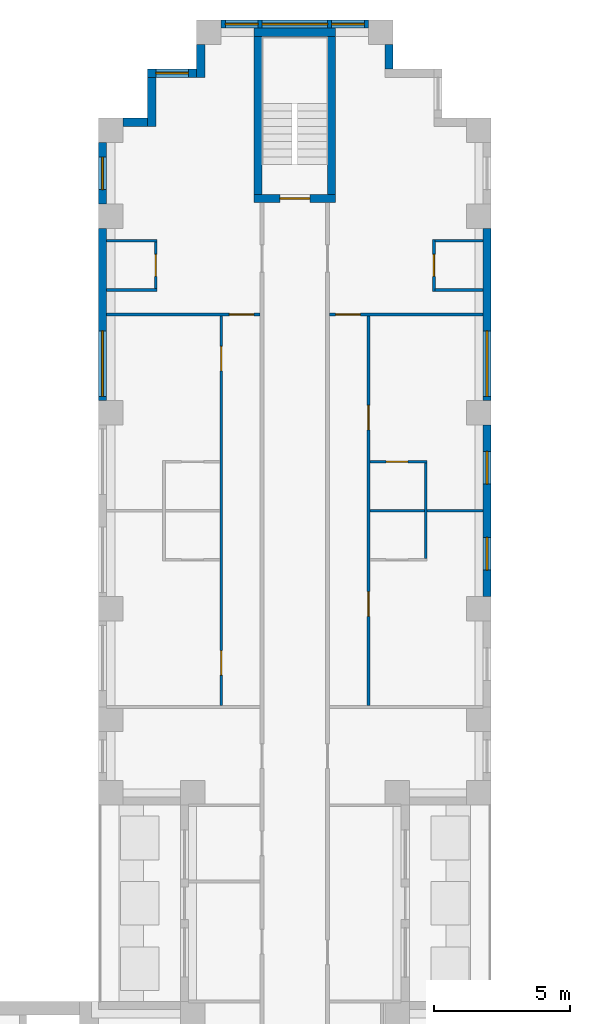
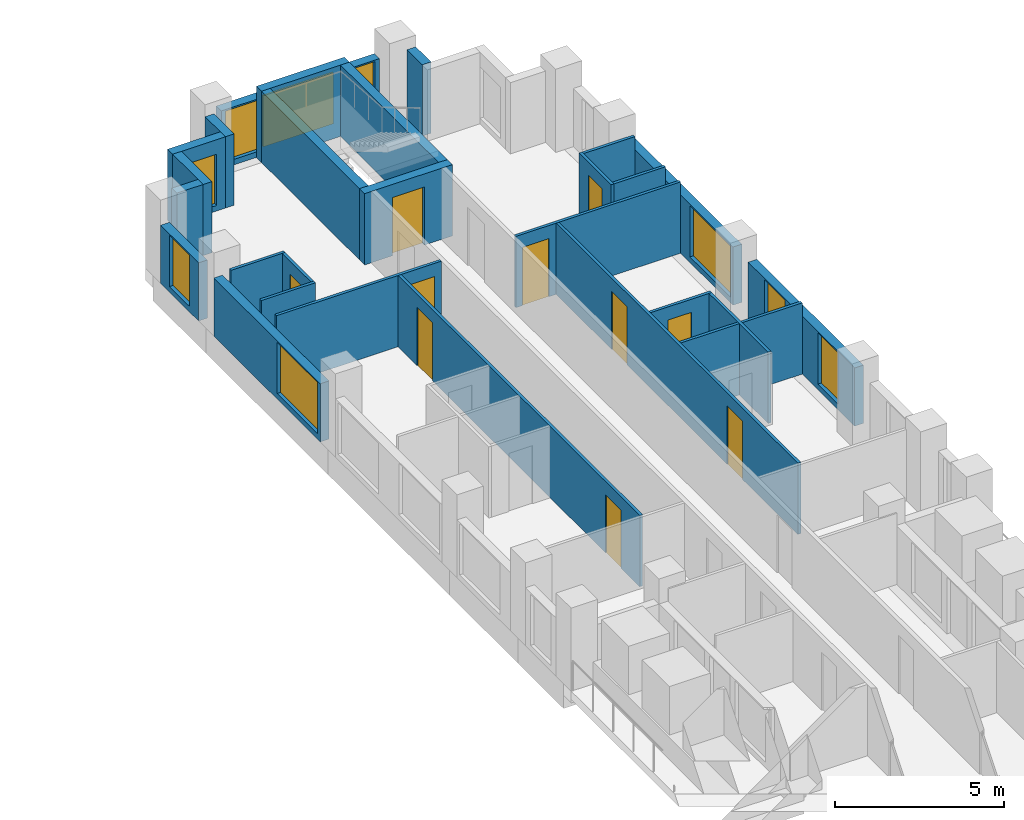
# One storey, part 12 of 16: 27 walls, 10 doors, 9 windows, 19 openings.
"""IFC4 building model written with IfcOpenShell, lengths in metres."""

import ifcopenshell
import ifcopenshell.guid

model = None  # the IFC model being written
_history = None  # IfcOwnerHistory: only IFC2X3 demands one
_inside = {}  # id of a spatial element -> (the spatial element, [elements in it])
_under = {}  # id of a project, library or spatial element -> (it, [spatial elements below it])
_declared = {}  # id of a project -> (the project, [libraries it declares])
_typed = {}  # id of a type object -> (the type object, [elements of that type])
_made_of = {}  # id of a material, layer set ... -> (it, [elements and type objects made of it])


def new_model(schema):
    """Start an empty IFC model of exactly this schema.

    Asked for "IFC4X3", IfcOpenShell would pick the latest addendum, in which some entities
    have other attributes; the version numbers below select the first issue.
    IFC2X3 requires an IfcOwnerHistory on every rooted entity: one is made here for all.
    """
    global model, _history
    if schema == "IFC4X3":
        model = ifcopenshell.file(schema_version=(4, 3, 0, 0))
    else:
        model = ifcopenshell.file(schema=schema)
    _inside.clear()
    _under.clear()
    _declared.clear()
    _typed.clear()
    _made_of.clear()
    _history = None
    if model.schema == "IFC2X3":
        org = make("IfcOrganization", Name="unknown")
        user = make(
            "IfcPersonAndOrganization",
            ThePerson=make("IfcPerson", FamilyName="unknown"),
            TheOrganization=org,
        )
        app = make(
            "IfcApplication",
            ApplicationDeveloper=org,
            Version="unknown",
            ApplicationFullName="unknown",
            ApplicationIdentifier="unknown",
        )
        _history = make(
            "IfcOwnerHistory",
            OwningUser=user,
            OwningApplication=app,
            ChangeAction="ADDED",
            CreationDate=0,
        )
    return model


def make(cls, **values):
    """One entity of the class cls with the attributes given. An attribute that is None is left unset."""
    return model.create_entity(
        cls, **{name: value for name, value in values.items() if value is not None}
    )


def rooted(cls, **values):
    """An entity with a GlobalId (a new one), such as an element, a storey or a relation."""
    return make(cls, GlobalId=ifcopenshell.guid.new(), OwnerHistory=_history, **values)


def si_unit(unit_type, name, prefix=None):
    """IfcSIUnit, for example si_unit("LENGTHUNIT", "METRE", prefix="MILLI")."""
    return make("IfcSIUnit", UnitType=unit_type, Prefix=prefix, Name=name)


def assignment(units):
    """IfcUnitAssignment: the units of a project."""
    return None if units is None else make("IfcUnitAssignment", Units=units)


def point(xyz):
    """IfcCartesianPoint."""
    return None if xyz is None else make("IfcCartesianPoint", Coordinates=xyz)


def direction(xyz):
    """IfcDirection."""
    return None if xyz is None else make("IfcDirection", DirectionRatios=xyz)


def frame(location, z_axis=None, x_axis=None):
    """IfcAxis2Placement3D, a coordinate frame: its origin and axes. An axis left out is left unset."""
    return make(
        "IfcAxis2Placement3D",
        Location=point(location),
        Axis=direction(z_axis),
        RefDirection=direction(x_axis),
    )


def frame_2d(location, x_axis=None):
    """IfcAxis2Placement2D, a coordinate frame in the plane: its origin and x axis."""
    return make(
        "IfcAxis2Placement2D", Location=point(location), RefDirection=direction(x_axis)
    )


def origin():
    """The frame at (0, 0, 0) with its axes left unset."""
    return frame((0.0, 0.0, 0.0))


def place(relative_to, where):
    """IfcLocalPlacement: puts the frame where relative to a parent placement (None: the world)."""
    return make(
        "IfcLocalPlacement", PlacementRelTo=relative_to, RelativePlacement=where
    )


def context(
    kind, dimensions, precision=None, world=None, true_north=None, identifier=None
):
    """IfcGeometricRepresentationContext, for example the 3D "Model" context."""
    return make(
        "IfcGeometricRepresentationContext",
        ContextIdentifier=identifier,
        ContextType=kind,
        CoordinateSpaceDimension=dimensions,
        Precision=precision,
        WorldCoordinateSystem=world,
        TrueNorth=true_north,
    )


def subcontext(parent, identifier, kind, view, scale=None):
    """IfcGeometricRepresentationSubContext, for example "Body" below "Model"."""
    return make(
        "IfcGeometricRepresentationSubContext",
        ContextIdentifier=identifier,
        ContextType=kind,
        ParentContext=parent,
        TargetScale=scale,
        TargetView=view,
    )


def project(units=None, contexts=None):
    """IfcProject with its units and contexts."""
    return rooted(
        "IfcProject",
        Name="project",
        RepresentationContexts=contexts,
        UnitsInContext=assignment(units),
    )


def spatial(cls, under=None, at=None, **own):
    """A site, building, storey or space (cls), placed at a placement, below another one or the project."""
    s = rooted(cls, ObjectPlacement=at, **own)
    if under is not None:
        _under.setdefault(under.id(), (under, []))[1].append(s)
    return s


def profile(cls, at=None, kind="AREA", **sizes):
    """A parametric profile (cls). Its sizes go by their IFC names, for example OverallWidth=200.0."""
    return make(cls, ProfileType=kind, Position=at, **sizes)


def rectangle(**sizes):
    """IfcRectangleProfileDef."""
    return profile("IfcRectangleProfileDef", **sizes)


def extrude(swept, where, along, depth):
    """IfcExtrudedAreaSolid: the profile swept, set in the frame where, extruded along a direction by depth."""
    return make(
        "IfcExtrudedAreaSolid",
        SweptArea=swept,
        Position=where,
        ExtrudedDirection=direction(along),
        Depth=depth,
    )


def shape(context_of_items, identifier, shape_type, items):
    """IfcShapeRepresentation: the items that make up one representation, for example the "Body"."""
    return make(
        "IfcShapeRepresentation",
        ContextOfItems=context_of_items,
        RepresentationIdentifier=identifier,
        RepresentationType=shape_type,
        Items=items,
    )


def material(Name=None, Category=None):
    """IfcMaterial."""
    return make("IfcMaterial", Name=Name, Category=Category)


def layer(
    of_material, thickness, ventilated=None, Name=None, Category=None, Priority=None
):
    """IfcMaterialLayer: one layer of a wall or slab, of a material (None: an air gap)."""
    return make(
        "IfcMaterialLayer",
        Material=of_material,
        LayerThickness=thickness,
        IsVentilated=ventilated,
        Name=Name,
        Category=Category,
        Priority=Priority,
    )


def layer_set(layers, Name=None):
    """IfcMaterialLayerSet."""
    return make("IfcMaterialLayerSet", MaterialLayers=layers, LayerSetName=Name)


def made_of(thing, what):
    """Note that an element or type object is made of a material, layer set ...; save() writes the relation."""
    if what is not None:
        _made_of.setdefault(what.id(), (what, []))[1].append(thing)
    return thing


def type_object(cls, material=None, **own):
    """A type object (cls), such as IfcWallType, which elements share."""
    return made_of(rooted(cls, **own), material)


def element(
    cls,
    number,
    at=None,
    inside=None,
    cuts=None,
    type_object=None,
    material=None,
    context=None,
    identifier="Body",
    shape_type=None,
    held_by="IfcProductDefinitionShape",
    body=None,
    shapes=None,
    **own,
):
    """One element of the class cls, such as IfcWall. Its Tag is "e" and its number.

    at: its placement. inside: the storey or other place that contains it. cuts: it is an
    opening in that element (IfcRelVoidsElement). A single representation is given by context,
    identifier, shape_type and body (its items); several are given by shapes. held_by: the class
    of the entity that holds the representations. save() writes the other relations.
    """
    e = rooted(cls, Tag="e%d" % number, ObjectPlacement=at, **own)
    if body is not None:
        shapes = [shape(context, identifier, shape_type, body)]
    if shapes is not None:
        e.Representation = make(held_by, Representations=shapes)
    if inside is not None:
        _inside.setdefault(inside.id(), (inside, []))[1].append(e)
    if cuts is not None:
        rooted(
            "IfcRelVoidsElement", RelatingBuildingElement=cuts, RelatedOpeningElement=e
        )
    if type_object is not None:
        _typed.setdefault(type_object.id(), (type_object, []))[1].append(e)
    return made_of(e, material)


def fill(opening, filler):
    """IfcRelFillsElement: the door or window that sits in an opening."""
    return rooted(
        "IfcRelFillsElement",
        RelatingOpeningElement=opening,
        RelatedBuildingElement=filler,
    )


def aggregate(whole, parts):
    """IfcRelAggregates: a whole, such as a stair, and the parts it consists of."""
    return rooted("IfcRelAggregates", RelatingObject=whole, RelatedObjects=parts)


def save(model, path):
    """Write the relations noted so far, then the file.

    IfcRelAggregates (storeys below a building ...), IfcRelContainedInSpatialStructure (elements
    in a storey), IfcRelDefinesByType, IfcRelAssociatesMaterial and IfcRelDeclares: one each for
    every whole, place, type object, material and project.
    """
    for whole, parts in _under.values():
        aggregate(whole, parts)
    for where, things in _inside.values():
        rooted(
            "IfcRelContainedInSpatialStructure",
            RelatedElements=things,
            RelatingStructure=where,
        )
    for kind, things in _typed.values():
        rooted("IfcRelDefinesByType", RelatedObjects=things, RelatingType=kind)
    for what, things in _made_of.values():
        rooted("IfcRelAssociatesMaterial", RelatedObjects=things, RelatingMaterial=what)
    for by, libraries in _declared.values():
        rooted("IfcRelDeclares", RelatingContext=by, RelatedDefinitions=libraries)
    model.write(path)


model = new_model("IFC4")

# Units and contexts
model_context = context("Model", 3, precision=1e-05, world=origin(), true_north=direction((0.0, 1.0)))
body_context = subcontext(model_context, "Body", "Model", "MODEL_VIEW")
ifc_project = project(units=[si_unit("LENGTHUNIT", "METRE"), si_unit("AREAUNIT", "SQUARE_METRE"), si_unit("VOLUMEUNIT", "CUBIC_METRE"), si_unit("PLANEANGLEUNIT", "RADIAN"), si_unit("MASSUNIT", "GRAM", prefix="KILO")], contexts=[model_context])

# Site, building, storey
site_placement = place(None, origin())
site = spatial("IfcSite", under=ifc_project, at=site_placement, CompositionType="ELEMENT")
building_placement = place(site_placement, origin())
building = spatial("IfcBuilding", under=site, at=building_placement, Name="Fustian Cross Tower", CompositionType="ELEMENT")
storey_placement = place(building_placement, frame((0.0, 0.0, 23.699951171875)))
storey = spatial("IfcBuildingStorey", under=building, at=storey_placement, Name="L06", CompositionType="ELEMENT", Elevation=23.699951171875)

# Wall, opening, door
ifc_material_1 = material(Name="Plasterboard on steel stud", Category="steel")
ifc_layer_1 = layer(ifc_material_1, 0.10009765625)
ifc_layer_set_1 = layer_set([ifc_layer_1], Name="Plasterboard on steel stud")
wall_type_1 = type_object("IfcWallType", Name="PARTITION 100 STUD", PredefinedType="PARTITIONING", material=ifc_layer_set_1)
wall_1_placement = place(storey_placement, frame((-6.89990234375, 32.39990234375, 0.0), z_axis=(0.0, 0.0, 1.0), x_axis=(1.0, 0.0, 0.0)))
wall_1 = element("IfcWall", 1, at=wall_1_placement, inside=storey, type_object=wall_type_1, Name="Partition 26", PredefinedType="PARTITIONING", context=body_context, shape_type="SweptSolid", body=[
    extrude(rectangle(XDim=5.625, YDim=0.10009765625, at=frame_2d((2.8125, 0.0))), origin(), (0.0, 0.0, 1.0), 2.574951171875),
])
opening_1_placement = place(wall_1_placement, frame((4.5, 0.0, 0.0)))
opening_1 = element("IfcOpeningElement", 2, at=opening_1_placement, cuts=wall_1, Name="Opening D05027", PredefinedType="OPENING", context=body_context, shape_type="SweptSolid", body=[
    extrude(rectangle(XDim=0.89990234375, YDim=2.10009765625, at=frame_2d((0.449951171875, 1.050048828125))), frame((0.0, 0.06005859375, 0.0), z_axis=(0.0, -1.0, 0.0), x_axis=(1.0, 0.0, 0.0)), (0.0, 0.0, 1.0), 0.1201171875),
])
ifc_material_2 = material(Name="Painted timber", Category="wood")
door_type_1 = type_object("IfcDoorType", Name="SWING DOOR 900", OperationType="SINGLE_SWING_LEFT", PredefinedType="DOOR", material=ifc_material_2)
door_1_placement = place(opening_1_placement, frame((0.89990234375, 0.0, 0.0), z_axis=(0.0, 0.0, 1.0), x_axis=(-1.0, 0.0, 0.0)))
door_1 = element("IfcDoor", 3, at=door_1_placement, inside=storey, type_object=door_type_1, Name="Door D05027", OperationType="SINGLE_SWING_RIGHT", OverallHeight=2.10009765625, OverallWidth=0.89990234375, PredefinedType="DOOR", context=body_context, shape_type="SweptSolid", body=[
    extrude(rectangle(XDim=0.89990234375, YDim=2.10009765625, at=frame_2d((0.449951171875, 1.050048828125))), frame((0.0, 0.02490234375, 0.0), z_axis=(0.0, -1.0, 0.0), x_axis=(1.0, 0.0, 0.0)), (0.0, 0.0, 1.0), 0.050048828125),
])
fill(opening_1, door_1)

# Walls
for number, where, z_axis, x_axis, name in (
    (4, (-6.89990234375, 33.300048828125, 0.0), (0.0, 0.0, 1.0), (1.0, 0.0, 0.0), "Partition 27"),
    (5, (-6.89990234375, 35.10009765625, 0.0), (0.0, 0.0, 1.0), (1.0, 0.0, 0.0), "Partition 28"),
):
    element("IfcWall", number, at=place(storey_placement, frame(where, z_axis=z_axis, x_axis=x_axis)), inside=storey, type_object=wall_type_1, Name=name, PredefinedType="PARTITIONING", context=body_context, shape_type="SweptSolid", body=[
        extrude(rectangle(XDim=1.849853515625, YDim=0.10009765625, at=frame_2d((0.9248046875, 0.0))), origin(), (0.0, 0.0, 1.0), 2.574951171875),
    ])

# Wall, opening, door
wall_2_placement = place(storey_placement, frame((-5.10009765625, 33.35009765625, 0.0), z_axis=(0.0, 0.0, 1.0), x_axis=(0.0, 1.0, 0.0)))
wall_2 = element("IfcWall", 6, at=wall_2_placement, inside=storey, type_object=wall_type_1, Name="Partition 32", PredefinedType="PARTITIONING", context=body_context, shape_type="SweptSolid", body=[
    extrude(rectangle(XDim=1.699951171875, YDim=0.10009765625, at=frame_2d((0.85009765625, 0.0))), origin(), (0.0, 0.0, 1.0), 2.574951171875),
])
opening_2_placement = place(wall_2_placement, frame((0.449951171875, 0.0, 0.0)))
opening_2 = element("IfcOpeningElement", 7, at=opening_2_placement, cuts=wall_2, Name="Opening D05023", PredefinedType="OPENING", context=body_context, shape_type="SweptSolid", body=[
    extrude(rectangle(XDim=0.800048828125, YDim=2.10009765625, at=frame_2d((0.39990234375, 1.050048828125))), frame((0.0, 0.06005859375, 0.0), z_axis=(0.0, -1.0, 0.0), x_axis=(1.0, 0.0, 0.0)), (0.0, 0.0, 1.0), 0.1201171875),
])
ifc_material_3 = material(Name="Painted timber", Category="wood")
door_type_2 = type_object("IfcDoorType", Name="SWING DOOR 800", OperationType="SINGLE_SWING_LEFT", PredefinedType="DOOR", material=ifc_material_3)
door_2_placement = place(opening_2_placement, origin())
door_2 = element("IfcDoor", 8, at=door_2_placement, inside=storey, type_object=door_type_2, Name="Door D05023", OperationType="SINGLE_SWING_RIGHT", OverallHeight=2.10009765625, OverallWidth=0.800048828125, PredefinedType="DOOR", context=body_context, shape_type="SweptSolid", body=[
    extrude(rectangle(XDim=0.800048828125, YDim=2.10009765625, at=frame_2d((0.39990234375, 1.050048828125))), frame((0.0, 0.02490234375, 0.0), z_axis=(0.0, -1.0, 0.0), x_axis=(1.0, 0.0, 0.0)), (0.0, 0.0, 1.0), 0.050048828125),
])
fill(opening_2, door_2)

# Wall, openings, doors
wall_3_placement = place(storey_placement, frame((-2.699951171875, 18.050048828125, 0.0), z_axis=(0.0, 0.0, 1.0), x_axis=(0.0, 1.0, 0.0)))
wall_3 = element("IfcWall", 9, at=wall_3_placement, inside=storey, type_object=wall_type_1, Name="Partition 50", PredefinedType="PARTITIONING", context=body_context, shape_type="SweptSolid", body=[
    extrude(rectangle(XDim=14.300048828125, YDim=0.10009765625, at=frame_2d((7.14990234375, 0.0))), origin(), (0.0, 0.0, 1.0), 2.574951171875),
])
opening_3_placement = place(wall_3_placement, frame((1.1201171875, 0.0, 0.0)))
opening_3 = element("IfcOpeningElement", 10, at=opening_3_placement, cuts=wall_3, Name="Opening D05025", PredefinedType="OPENING", context=body_context, shape_type="SweptSolid", body=[
    extrude(rectangle(XDim=0.89990234375, YDim=2.10009765625, at=frame_2d((0.449951171875, 1.050048828125))), frame((0.0, 0.06005859375, 0.0), z_axis=(0.0, -1.0, 0.0), x_axis=(1.0, 0.0, 0.0)), (0.0, 0.0, 1.0), 0.1201171875),
])
opening_4_placement = place(wall_3_placement, frame((12.280029296875, 0.0, 0.0)))
opening_4 = element("IfcOpeningElement", 11, at=opening_4_placement, cuts=wall_3, Name="Opening D05026", PredefinedType="OPENING", context=body_context, shape_type="SweptSolid", body=[
    extrude(rectangle(XDim=0.89990234375, YDim=2.10009765625, at=frame_2d((0.449951171875, 1.050048828125))), frame((0.0, 0.06005859375, 0.0), z_axis=(0.0, -1.0, 0.0), x_axis=(1.0, 0.0, 0.0)), (0.0, 0.0, 1.0), 0.1201171875),
])
door_3_placement = place(opening_3_placement, frame((0.89990234375, 0.0, 0.0), z_axis=(0.0, 0.0, 1.0), x_axis=(-1.0, 0.0, 0.0)))
door_3 = element("IfcDoor", 12, at=door_3_placement, inside=storey, type_object=door_type_1, Name="Door D05025", OperationType="SINGLE_SWING_RIGHT", OverallHeight=2.10009765625, OverallWidth=0.89990234375, PredefinedType="DOOR", context=body_context, shape_type="SweptSolid", body=[
    extrude(rectangle(XDim=0.89990234375, YDim=2.10009765625, at=frame_2d((0.449951171875, 1.050048828125))), frame((0.0, 0.02490234375, 0.0), z_axis=(0.0, -1.0, 0.0), x_axis=(1.0, 0.0, 0.0)), (0.0, 0.0, 1.0), 0.050048828125),
])
fill(opening_3, door_3)
door_4_placement = place(opening_4_placement, frame((0.89990234375, 0.0, 0.0), z_axis=(0.0, 0.0, 1.0), x_axis=(-1.0, 0.0, 0.0)))
door_4 = element("IfcDoor", 13, at=door_4_placement, inside=storey, type_object=door_type_1, Name="Door D05026", OperationType="SINGLE_SWING_LEFT", OverallHeight=2.10009765625, OverallWidth=0.89990234375, PredefinedType="DOOR", context=body_context, shape_type="SweptSolid", body=[
    extrude(rectangle(XDim=0.89990234375, YDim=2.10009765625, at=frame_2d((0.449951171875, 1.050048828125))), frame((0.0, 0.02490234375, 0.0), z_axis=(0.0, -1.0, 0.0), x_axis=(1.0, 0.0, 0.0)), (0.0, 0.0, 1.0), 0.050048828125),
])
fill(opening_4, door_4)

# Wall, opening, door
wall_4_placement = place(storey_placement, frame((1.27490234375, 32.39990234375, 0.0), z_axis=(0.0, 0.0, 1.0), x_axis=(1.0, 0.0, 0.0)))
wall_4 = element("IfcWall", 14, at=wall_4_placement, inside=storey, type_object=wall_type_1, Name="Partition 63", PredefinedType="PARTITIONING", context=body_context, shape_type="SweptSolid", body=[
    extrude(rectangle(XDim=5.625, YDim=0.10009765625, at=frame_2d((2.8125, 0.0))), origin(), (0.0, 0.0, 1.0), 2.574951171875),
])
opening_5_placement = place(wall_4_placement, frame((0.22509765625, 0.0, 0.0)))
opening_5 = element("IfcOpeningElement", 15, at=opening_5_placement, cuts=wall_4, Name="Opening D05034", PredefinedType="OPENING", context=body_context, shape_type="SweptSolid", body=[
    extrude(rectangle(XDim=0.89990234375, YDim=2.10009765625, at=frame_2d((0.449951171875, 1.050048828125))), frame((0.0, 0.06005859375, 0.0), z_axis=(0.0, -1.0, 0.0), x_axis=(1.0, 0.0, 0.0)), (0.0, 0.0, 1.0), 0.1201171875),
])
door_5_placement = place(opening_5_placement, frame((0.89990234375, 0.0, 0.0), z_axis=(0.0, 0.0, 1.0), x_axis=(-1.0, 0.0, 0.0)))
door_5 = element("IfcDoor", 16, at=door_5_placement, inside=storey, type_object=door_type_1, Name="Door D05034", OperationType="SINGLE_SWING_RIGHT", OverallHeight=2.10009765625, OverallWidth=0.89990234375, PredefinedType="DOOR", context=body_context, shape_type="SweptSolid", body=[
    extrude(rectangle(XDim=0.89990234375, YDim=2.10009765625, at=frame_2d((0.449951171875, 1.050048828125))), frame((0.0, 0.02490234375, 0.0), z_axis=(0.0, -1.0, 0.0), x_axis=(1.0, 0.0, 0.0)), (0.0, 0.0, 1.0), 0.050048828125),
])
fill(opening_5, door_5)

# Wall, openings, doors
wall_5_placement = place(storey_placement, frame((2.699951171875, 18.050048828125, 0.0), z_axis=(0.0, 0.0, 1.0), x_axis=(0.0, 1.0, 0.0)))
wall_5 = element("IfcWall", 17, at=wall_5_placement, inside=storey, type_object=wall_type_1, Name="Partition 75", PredefinedType="PARTITIONING", context=body_context, shape_type="SweptSolid", body=[
    extrude(rectangle(XDim=14.300048828125, YDim=0.10009765625, at=frame_2d((7.14990234375, 0.0))), origin(), (0.0, 0.0, 1.0), 2.574951171875),
])
opening_6_placement = place(wall_5_placement, frame((3.280029296875, 0.0, 0.0)))
opening_6 = element("IfcOpeningElement", 18, at=opening_6_placement, cuts=wall_5, Name="Opening D05035", PredefinedType="OPENING", context=body_context, shape_type="SweptSolid", body=[
    extrude(rectangle(XDim=0.89990234375, YDim=2.10009765625, at=frame_2d((0.449951171875, 1.050048828125))), frame((0.0, 0.06005859375, 0.0), z_axis=(0.0, -1.0, 0.0), x_axis=(1.0, 0.0, 0.0)), (0.0, 0.0, 1.0), 0.1201171875),
])
opening_7_placement = place(wall_5_placement, frame((10.119873046875, 0.0, 0.0)))
opening_7 = element("IfcOpeningElement", 19, at=opening_7_placement, cuts=wall_5, Name="Opening D05036", PredefinedType="OPENING", context=body_context, shape_type="SweptSolid", body=[
    extrude(rectangle(XDim=0.89990234375, YDim=2.10009765625, at=frame_2d((0.449951171875, 1.050048828125))), frame((0.0, 0.06005859375, 0.0), z_axis=(0.0, -1.0, 0.0), x_axis=(1.0, 0.0, 0.0)), (0.0, 0.0, 1.0), 0.1201171875),
])
door_6_placement = place(opening_6_placement, origin())
door_6 = element("IfcDoor", 20, at=door_6_placement, inside=storey, type_object=door_type_1, Name="Door D05035", OperationType="SINGLE_SWING_LEFT", OverallHeight=2.10009765625, OverallWidth=0.89990234375, PredefinedType="DOOR", context=body_context, shape_type="SweptSolid", body=[
    extrude(rectangle(XDim=0.89990234375, YDim=2.10009765625, at=frame_2d((0.449951171875, 1.050048828125))), frame((0.0, 0.02490234375, 0.0), z_axis=(0.0, -1.0, 0.0), x_axis=(1.0, 0.0, 0.0)), (0.0, 0.0, 1.0), 0.050048828125),
])
fill(opening_6, door_6)
door_7_placement = place(opening_7_placement, origin())
door_7 = element("IfcDoor", 21, at=door_7_placement, inside=storey, type_object=door_type_1, Name="Door D05036", OperationType="SINGLE_SWING_RIGHT", OverallHeight=2.10009765625, OverallWidth=0.89990234375, PredefinedType="DOOR", context=body_context, shape_type="SweptSolid", body=[
    extrude(rectangle(XDim=0.89990234375, YDim=2.10009765625, at=frame_2d((0.449951171875, 1.050048828125))), frame((0.0, 0.02490234375, 0.0), z_axis=(0.0, -1.0, 0.0), x_axis=(1.0, 0.0, 0.0)), (0.0, 0.0, 1.0), 0.050048828125),
])
fill(opening_7, door_7)

# Wall
wall_6_placement = place(storey_placement, frame((2.75, 25.199951171875, 0.0), z_axis=(0.0, 0.0, 1.0), x_axis=(1.0, 0.0, 0.0)))
element("IfcWall", 22, at=wall_6_placement, inside=storey, type_object=wall_type_1, Name="Partition 77", PredefinedType="PARTITIONING", context=body_context, shape_type="SweptSolid", body=[
    extrude(rectangle(XDim=4.14990234375, YDim=0.10009765625, at=frame_2d((2.074951171875, 0.0))), origin(), (0.0, 0.0, 1.0), 2.574951171875),
])

# Wall, opening, door
wall_7_placement = place(storey_placement, frame((2.75, 27.0, 0.0), z_axis=(0.0, 0.0, 1.0), x_axis=(1.0, 0.0, 0.0)))
wall_7 = element("IfcWall", 23, at=wall_7_placement, inside=storey, type_object=wall_type_1, Name="Partition 78", PredefinedType="PARTITIONING", context=body_context, shape_type="SweptSolid", body=[
    extrude(rectangle(XDim=2.10009765625, YDim=0.10009765625, at=frame_2d((1.050048828125, 0.0))), origin(), (0.0, 0.0, 1.0), 2.574951171875),
])
opening_8_placement = place(wall_7_placement, frame((0.60009765625, 0.0, 0.0)))
opening_8 = element("IfcOpeningElement", 24, at=opening_8_placement, cuts=wall_7, Name="Opening D05038", PredefinedType="OPENING", context=body_context, shape_type="SweptSolid", body=[
    extrude(rectangle(XDim=0.800048828125, YDim=2.10009765625, at=frame_2d((0.39990234375, 1.050048828125))), frame((0.0, 0.06005859375, 0.0), z_axis=(0.0, -1.0, 0.0), x_axis=(1.0, 0.0, 0.0)), (0.0, 0.0, 1.0), 0.1201171875),
])
door_8_placement = place(opening_8_placement, frame((0.800048828125, 0.0, 0.0), z_axis=(0.0, 0.0, 1.0), x_axis=(-1.0, 0.0, 0.0)))
door_8 = element("IfcDoor", 25, at=door_8_placement, inside=storey, type_object=door_type_2, Name="Door D05038", OperationType="SINGLE_SWING_RIGHT", OverallHeight=2.10009765625, OverallWidth=0.800048828125, PredefinedType="DOOR", context=body_context, shape_type="SweptSolid", body=[
    extrude(rectangle(XDim=0.800048828125, YDim=2.10009765625, at=frame_2d((0.39990234375, 1.050048828125))), frame((0.0, 0.02490234375, 0.0), z_axis=(0.0, -1.0, 0.0), x_axis=(1.0, 0.0, 0.0)), (0.0, 0.0, 1.0), 0.050048828125),
])
fill(opening_8, door_8)

# Wall
wall_8_placement = place(storey_placement, frame((4.800048828125, 23.449951171875, 0.0), z_axis=(0.0, 0.0, 1.0), x_axis=(0.0, 1.0, 0.0)))
element("IfcWall", 26, at=wall_8_placement, inside=storey, type_object=wall_type_1, Name="Partition 84", PredefinedType="PARTITIONING", context=body_context, shape_type="SweptSolid", body=[
    extrude(rectangle(XDim=3.5, YDim=0.10009765625, at=frame_2d((1.75, 0.0))), origin(), (0.0, 0.0, 1.0), 2.574951171875),
])

# Wall, opening, door
wall_9_placement = place(storey_placement, frame((5.10009765625, 33.25, 0.0), z_axis=(0.0, 0.0, 1.0), x_axis=(0.0, 1.0, 0.0)))
wall_9 = element("IfcWall", 27, at=wall_9_placement, inside=storey, type_object=wall_type_1, Name="Partition 88", PredefinedType="PARTITIONING", context=body_context, shape_type="SweptSolid", body=[
    extrude(rectangle(XDim=1.89990234375, YDim=0.10009765625, at=frame_2d((0.949951171875, 0.0))), origin(), (0.0, 0.0, 1.0), 2.574951171875),
])
opening_9_placement = place(wall_9_placement, frame((0.550048828125, 0.0, 0.0)))
opening_9 = element("IfcOpeningElement", 28, at=opening_9_placement, cuts=wall_9, Name="Opening D05032", PredefinedType="OPENING", context=body_context, shape_type="SweptSolid", body=[
    extrude(rectangle(XDim=0.800048828125, YDim=2.10009765625, at=frame_2d((0.39990234375, 1.050048828125))), frame((0.0, 0.06005859375, 0.0), z_axis=(0.0, -1.0, 0.0), x_axis=(1.0, 0.0, 0.0)), (0.0, 0.0, 1.0), 0.1201171875),
])
door_9_placement = place(opening_9_placement, frame((0.800048828125, 0.0, 0.0), z_axis=(0.0, 0.0, 1.0), x_axis=(-1.0, 0.0, 0.0)))
door_9 = element("IfcDoor", 29, at=door_9_placement, inside=storey, type_object=door_type_2, Name="Door D05032", OperationType="SINGLE_SWING_LEFT", OverallHeight=2.10009765625, OverallWidth=0.800048828125, PredefinedType="DOOR", context=body_context, shape_type="SweptSolid", body=[
    extrude(rectangle(XDim=0.800048828125, YDim=2.10009765625, at=frame_2d((0.39990234375, 1.050048828125))), frame((0.0, 0.02490234375, 0.0), z_axis=(0.0, -1.0, 0.0), x_axis=(1.0, 0.0, 0.0)), (0.0, 0.0, 1.0), 0.050048828125),
])
fill(opening_9, door_9)

# Walls
for number, where, z_axis, x_axis, name in (
    (30, (5.14990234375, 33.300048828125, 0.0), (0.0, 0.0, 1.0), (1.0, 0.0, 0.0), "Partition 89"),
    (31, (5.14990234375, 35.10009765625, 0.0), (0.0, 0.0, 1.0), (1.0, 0.0, 0.0), "Partition 90"),
):
    element("IfcWall", number, at=place(storey_placement, frame(where, z_axis=z_axis, x_axis=x_axis)), inside=storey, type_object=wall_type_1, Name=name, PredefinedType="PARTITIONING", context=body_context, shape_type="SweptSolid", body=[
        extrude(rectangle(XDim=1.75, YDim=0.10009765625, at=frame_2d((0.875, 0.0))), origin(), (0.0, 0.0, 1.0), 2.574951171875),
    ])

# Wall, opening, door
ifc_material_4 = material(Name="Concrete C50/60", Category="concrete")
ifc_layer_2 = layer(ifc_material_4, 0.300048828125)
ifc_layer_set_2 = layer_set([ifc_layer_2], Name="Concrete C50/60")
wall_type_2 = type_object("IfcWallType", Name="STAIR ENCLOSURE WALL 300 C50/60", PredefinedType="SHEAR", material=ifc_layer_set_2)
wall_10_placement = place(storey_placement, frame((-1.5, 36.64990234375, 0.0), z_axis=(0.0, 0.0, 1.0), x_axis=(1.0, 0.0, 0.0)))
wall_10 = element("IfcWall", 32, at=wall_10_placement, inside=storey, type_object=wall_type_2, Name="Stair enclosure wall", PredefinedType="SHEAR", context=body_context, shape_type="SweptSolid", body=[
    extrude(rectangle(XDim=3.0, YDim=0.300048828125, at=frame_2d((1.5, 0.0))), origin(), (0.0, 0.0, 1.0), 2.574951171875),
])
opening_10_placement = place(wall_10_placement, frame((0.949951171875, 0.0, 0.0)))
opening_10 = element("IfcOpeningElement", 33, at=opening_10_placement, cuts=wall_10, Name="Opening CD-05-31", PredefinedType="OPENING", context=body_context, shape_type="SweptSolid", body=[
    extrude(rectangle(XDim=1.10009765625, YDim=2.10009765625, at=frame_2d((0.550048828125, 1.050048828125))), frame((0.0, 0.159912109375, 0.0), z_axis=(0.0, -1.0, 0.0), x_axis=(1.0, 0.0, 0.0)), (0.0, 0.0, 1.0), 0.320068359375),
])
ifc_material_5 = material(Name="Steel", Category="steel")
door_type_3 = type_object("IfcDoorType", Name="FIRE DOOR FD60S 1100X2100", OperationType="SINGLE_SWING_LEFT", PredefinedType="DOOR", material=ifc_material_5)
door_10_placement = place(opening_10_placement, origin())
door_10 = element("IfcDoor", 34, at=door_10_placement, inside=storey, type_object=door_type_3, Name="Core door CD-05-31", OperationType="SINGLE_SWING_LEFT", OverallHeight=2.10009765625, OverallWidth=1.10009765625, PredefinedType="DOOR", context=body_context, shape_type="SweptSolid", body=[
    extrude(rectangle(XDim=1.10009765625, YDim=2.10009765625, at=frame_2d((0.550048828125, 1.050048828125))), frame((0.0, 0.02490234375, 0.0), z_axis=(0.0, -1.0, 0.0), x_axis=(1.0, 0.0, 0.0)), (0.0, 0.0, 1.0), 0.050048828125),
])
fill(opening_10, door_10)

# Walls
wall_11_placement = place(storey_placement, frame((-1.5, 42.75, 0.0), z_axis=(0.0, 0.0, 1.0), x_axis=(1.0, 0.0, 0.0)))
element("IfcWall", 35, at=wall_11_placement, inside=storey, type_object=wall_type_2, Name="Stair enclosure wall", PredefinedType="SHEAR", context=body_context, shape_type="SweptSolid", body=[
    extrude(rectangle(XDim=3.0, YDim=0.300048828125, at=frame_2d((1.5, 0.0))), origin(), (0.0, 0.0, 1.0), 2.574951171875),
])
for number, where, z_axis, x_axis, name in (
    (36, (-1.35009765625, 36.800048828125, 0.0), (0.0, 0.0, 1.0), (0.0, 1.0, 0.0), "Stair enclosure wall"),
    (37, (1.35009765625, 36.800048828125, 0.0), (0.0, 0.0, 1.0), (0.0, 1.0, 0.0), "Stair enclosure wall"),
):
    element("IfcWall", number, at=place(storey_placement, frame(where, z_axis=z_axis, x_axis=x_axis)), inside=storey, type_object=wall_type_2, Name=name, PredefinedType="SHEAR", context=body_context, shape_type="SweptSolid", body=[
        extrude(rectangle(XDim=5.800048828125, YDim=0.300048828125, at=frame_2d((2.89990234375, 0.0))), origin(), (0.0, 0.0, 1.0), 2.574951171875),
    ])

# Wall, openings, windows
ifc_material_6 = material(Name="Dark aluminium cladding on insulated backing wall", Category="aluminium")
ifc_layer_3 = layer(ifc_material_6, 0.300048828125)
ifc_layer_set_3 = layer_set([ifc_layer_3], Name="Dark aluminium cladding on insulated backing wall")
wall_type_3 = type_object("IfcWallType", Name="XW1 EXTERNAL WALL 300", PredefinedType="SOLIDWALL", material=ifc_layer_set_3)
wall_12_placement = place(storey_placement, frame((7.050048828125, 22.050048828125, 0.0), z_axis=(0.0, 0.0, 1.0), x_axis=(0.0, 1.0, 0.0)))
wall_12 = element("IfcWall", 38, at=wall_12_placement, inside=storey, type_object=wall_type_3, Name="External wall", PredefinedType="SOLIDWALL", context=body_context, shape_type="SweptSolid", body=[
    extrude(rectangle(XDim=6.300048828125, YDim=0.300048828125, at=frame_2d((3.14990234375, 0.0))), origin(), (0.0, 0.0, 1.0), 2.10009765625),
])
opening_11_placement = place(wall_12_placement, frame((0.97509765625, 0.0, 0.199951171875)))
opening_11 = element("IfcOpeningElement", 39, at=opening_11_placement, cuts=wall_12, Name="Opening WN3", PredefinedType="OPENING", context=body_context, shape_type="SweptSolid", body=[
    extrude(rectangle(XDim=1.199951171875, YDim=1.85009765625, at=frame_2d((0.60009765625, 0.925048828125))), frame((0.0, 0.159912109375, 0.0), z_axis=(0.0, -1.0, 0.0), x_axis=(1.0, 0.0, 0.0)), (0.0, 0.0, 1.0), 0.320068359375),
])
opening_12_placement = place(wall_12_placement, frame((4.125, 0.0, 0.199951171875)))
opening_12 = element("IfcOpeningElement", 40, at=opening_12_placement, cuts=wall_12, Name="Opening WN3", PredefinedType="OPENING", context=body_context, shape_type="SweptSolid", body=[
    extrude(rectangle(XDim=1.199951171875, YDim=1.85009765625, at=frame_2d((0.60009765625, 0.925048828125))), frame((0.0, 0.159912109375, 0.0), z_axis=(0.0, -1.0, 0.0), x_axis=(1.0, 0.0, 0.0)), (0.0, 0.0, 1.0), 0.320068359375),
])
ifc_material_7 = material(Name="Dark anodised aluminium and double glazing", Category="aluminium")
window_type_1 = type_object("IfcWindowType", Name="WN3 WINDOW 1200X1850", PartitioningType="SINGLE_PANEL", PredefinedType="WINDOW", material=ifc_material_7)
window_1_placement = place(opening_11_placement, origin())
window_1 = element("IfcWindow", 41, at=window_1_placement, inside=storey, type_object=window_type_1, Name="Window", OverallHeight=1.85009765625, OverallWidth=1.199951171875, PartitioningType="SINGLE_PANEL", PredefinedType="WINDOW", context=body_context, shape_type="SweptSolid", body=[
    extrude(rectangle(XDim=1.199951171875, YDim=1.85009765625, at=frame_2d((0.60009765625, 0.925048828125))), frame((0.0, 0.030029296875, 0.0), z_axis=(0.0, -1.0, 0.0), x_axis=(1.0, 0.0, 0.0)), (0.0, 0.0, 1.0), 0.06005859375),
])
fill(opening_11, window_1)
window_2_placement = place(opening_12_placement, origin())
window_2 = element("IfcWindow", 42, at=window_2_placement, inside=storey, type_object=window_type_1, Name="Window", OverallHeight=1.85009765625, OverallWidth=1.199951171875, PartitioningType="SINGLE_PANEL", PredefinedType="WINDOW", context=body_context, shape_type="SweptSolid", body=[
    extrude(rectangle(XDim=1.199951171875, YDim=1.85009765625, at=frame_2d((0.60009765625, 0.925048828125))), frame((0.0, 0.030029296875, 0.0), z_axis=(0.0, -1.0, 0.0), x_axis=(1.0, 0.0, 0.0)), (0.0, 0.0, 1.0), 0.06005859375),
])
fill(opening_12, window_2)

# Wall, opening, window
wall_13_placement = place(storey_placement, frame((7.050048828125, 29.25, 0.0), z_axis=(0.0, 0.0, 1.0), x_axis=(0.0, 1.0, 0.0)))
wall_13 = element("IfcWall", 43, at=wall_13_placement, inside=storey, type_object=wall_type_3, Name="External wall", PredefinedType="SOLIDWALL", context=body_context, shape_type="SweptSolid", body=[
    extrude(rectangle(XDim=6.300048828125, YDim=0.300048828125, at=frame_2d((3.14990234375, 0.0))), origin(), (0.0, 0.0, 1.0), 2.10009765625),
])
opening_13_placement = place(wall_13_placement, frame((0.14990234375, 0.0, 0.199951171875)))
opening_13 = element("IfcOpeningElement", 44, at=opening_13_placement, cuts=wall_13, Name="Opening WN1", PredefinedType="OPENING", context=body_context, shape_type="SweptSolid", body=[
    extrude(rectangle(XDim=2.39990234375, YDim=1.85009765625, at=frame_2d((1.199951171875, 0.925048828125))), frame((0.0, 0.159912109375, 0.0), z_axis=(0.0, -1.0, 0.0), x_axis=(1.0, 0.0, 0.0)), (0.0, 0.0, 1.0), 0.320068359375),
])
ifc_material_8 = material(Name="Dark anodised aluminium and double glazing", Category="aluminium")
window_type_2 = type_object("IfcWindowType", Name="WN1 WINDOW 2400X1850", PartitioningType="SINGLE_PANEL", PredefinedType="WINDOW", material=ifc_material_8)
window_3_placement = place(opening_13_placement, origin())
window_3 = element("IfcWindow", 45, at=window_3_placement, inside=storey, type_object=window_type_2, Name="Window", OverallHeight=1.85009765625, OverallWidth=2.39990234375, PartitioningType="SINGLE_PANEL", PredefinedType="WINDOW", context=body_context, shape_type="SweptSolid", body=[
    extrude(rectangle(XDim=2.39990234375, YDim=1.85009765625, at=frame_2d((1.199951171875, 0.925048828125))), frame((0.0, 0.030029296875, 0.0), z_axis=(0.0, -1.0, 0.0), x_axis=(1.0, 0.0, 0.0)), (0.0, 0.0, 1.0), 0.06005859375),
])
fill(opening_13, window_3)

# Wall
wall_14_placement = place(storey_placement, frame((3.449951171875, 41.39990234375, 0.0), z_axis=(0.0, 0.0, 1.0), x_axis=(0.0, 1.0, 0.0)))
element("IfcWall", 46, at=wall_14_placement, inside=storey, type_object=wall_type_3, Name="External wall", PredefinedType="SOLIDWALL", context=body_context, shape_type="SweptSolid", body=[
    extrude(rectangle(XDim=0.900146484375, YDim=0.300048828125, at=frame_2d((0.4501953125, 0.0))), origin(), (0.0, 0.0, 1.0), 2.574951171875),
])

# Wall, openings, windows
wall_15_placement = place(storey_placement, frame((2.699951171875, 43.050048828125, 0.0), z_axis=(0.0, 0.0, 1.0), x_axis=(-1.0, 0.0, 0.0)))
wall_15 = element("IfcWall", 47, at=wall_15_placement, inside=storey, type_object=wall_type_3, Name="External wall", PredefinedType="SOLIDWALL", context=body_context, shape_type="SweptSolid", body=[
    extrude(rectangle(XDim=5.39990234375, YDim=0.300048828125, at=frame_2d((2.699951171875, 0.0))), origin(), (0.0, 0.0, 1.0), 2.10009765625),
])
opening_14_placement = place(wall_15_placement, frame((1.5, 0.0, 0.199951171875)))
opening_14 = element("IfcOpeningElement", 48, at=opening_14_placement, cuts=wall_15, Name="Opening WN1", PredefinedType="OPENING", context=body_context, shape_type="SweptSolid", body=[
    extrude(rectangle(XDim=2.39990234375, YDim=1.85009765625, at=frame_2d((1.199951171875, 0.925048828125))), frame((0.0, 0.159912109375, 0.0), z_axis=(0.0, -1.0, 0.0), x_axis=(1.0, 0.0, 0.0)), (0.0, 0.0, 1.0), 0.320068359375),
])
opening_15_placement = place(wall_15_placement, frame((0.14990234375, 0.0, 0.199951171875)))
opening_15 = element("IfcOpeningElement", 49, at=opening_15_placement, cuts=wall_15, Name="Opening WN3", PredefinedType="OPENING", context=body_context, shape_type="SweptSolid", body=[
    extrude(rectangle(XDim=1.199951171875, YDim=1.85009765625, at=frame_2d((0.60009765625, 0.925048828125))), frame((0.0, 0.159912109375, 0.0), z_axis=(0.0, -1.0, 0.0), x_axis=(1.0, 0.0, 0.0)), (0.0, 0.0, 1.0), 0.320068359375),
])
opening_16_placement = place(wall_15_placement, frame((4.050048828125, 0.0, 0.199951171875)))
opening_16 = element("IfcOpeningElement", 50, at=opening_16_placement, cuts=wall_15, Name="Opening WN3", PredefinedType="OPENING", context=body_context, shape_type="SweptSolid", body=[
    extrude(rectangle(XDim=1.199951171875, YDim=1.85009765625, at=frame_2d((0.60009765625, 0.925048828125))), frame((0.0, 0.159912109375, 0.0), z_axis=(0.0, -1.0, 0.0), x_axis=(1.0, 0.0, 0.0)), (0.0, 0.0, 1.0), 0.320068359375),
])
window_4_placement = place(opening_14_placement, origin())
window_4 = element("IfcWindow", 51, at=window_4_placement, inside=storey, type_object=window_type_2, Name="Window", OverallHeight=1.85009765625, OverallWidth=2.39990234375, PartitioningType="SINGLE_PANEL", PredefinedType="WINDOW", context=body_context, shape_type="SweptSolid", body=[
    extrude(rectangle(XDim=2.39990234375, YDim=1.85009765625, at=frame_2d((1.199951171875, 0.925048828125))), frame((0.0, 0.030029296875, 0.0), z_axis=(0.0, -1.0, 0.0), x_axis=(1.0, 0.0, 0.0)), (0.0, 0.0, 1.0), 0.06005859375),
])
fill(opening_14, window_4)
window_5_placement = place(opening_15_placement, origin())
window_5 = element("IfcWindow", 52, at=window_5_placement, inside=storey, type_object=window_type_1, Name="Window", OverallHeight=1.85009765625, OverallWidth=1.199951171875, PartitioningType="SINGLE_PANEL", PredefinedType="WINDOW", context=body_context, shape_type="SweptSolid", body=[
    extrude(rectangle(XDim=1.199951171875, YDim=1.85009765625, at=frame_2d((0.60009765625, 0.925048828125))), frame((0.0, 0.030029296875, 0.0), z_axis=(0.0, -1.0, 0.0), x_axis=(1.0, 0.0, 0.0)), (0.0, 0.0, 1.0), 0.06005859375),
])
fill(opening_15, window_5)
window_6_placement = place(opening_16_placement, origin())
window_6 = element("IfcWindow", 53, at=window_6_placement, inside=storey, type_object=window_type_1, Name="Window", OverallHeight=1.85009765625, OverallWidth=1.199951171875, PartitioningType="SINGLE_PANEL", PredefinedType="WINDOW", context=body_context, shape_type="SweptSolid", body=[
    extrude(rectangle(XDim=1.199951171875, YDim=1.85009765625, at=frame_2d((0.60009765625, 0.925048828125))), frame((0.0, 0.030029296875, 0.0), z_axis=(0.0, -1.0, 0.0), x_axis=(1.0, 0.0, 0.0)), (0.0, 0.0, 1.0), 0.06005859375),
])
fill(opening_16, window_6)

# Wall
wall_16_placement = place(storey_placement, frame((-3.449951171875, 42.300048828125, 0.0), z_axis=(0.0, 0.0, 1.0), x_axis=(0.0, -1.0, 0.0)))
element("IfcWall", 54, at=wall_16_placement, inside=storey, type_object=wall_type_3, Name="External wall", PredefinedType="SOLIDWALL", context=body_context, shape_type="SweptSolid", body=[
    extrude(rectangle(XDim=1.199951171875, YDim=0.300048828125, at=frame_2d((0.60009765625, 0.0))), origin(), (0.0, 0.0, 1.0), 2.574951171875),
])

# Wall, opening, window
wall_17_placement = place(storey_placement, frame((-3.60009765625, 41.25, 0.0), z_axis=(0.0, 0.0, 1.0), x_axis=(-1.0, 0.0, 0.0)))
wall_17 = element("IfcWall", 55, at=wall_17_placement, inside=storey, type_object=wall_type_3, Name="External wall", PredefinedType="SOLIDWALL", context=body_context, shape_type="SweptSolid", body=[
    extrude(rectangle(XDim=1.7998046875, YDim=0.300048828125, at=frame_2d((0.89990234375, 0.0))), origin(), (0.0, 0.0, 1.0), 2.574951171875),
])
opening_17_placement = place(wall_17_placement, frame((0.300048828125, 0.0, 0.199951171875)))
opening_17 = element("IfcOpeningElement", 56, at=opening_17_placement, cuts=wall_17, Name="Opening WN3", PredefinedType="OPENING", context=body_context, shape_type="SweptSolid", body=[
    extrude(rectangle(XDim=1.199951171875, YDim=1.85009765625, at=frame_2d((0.60009765625, 0.925048828125))), frame((0.0, 0.159912109375, 0.0), z_axis=(0.0, -1.0, 0.0), x_axis=(1.0, 0.0, 0.0)), (0.0, 0.0, 1.0), 0.320068359375),
])
window_7_placement = place(opening_17_placement, origin())
window_7 = element("IfcWindow", 57, at=window_7_placement, inside=storey, type_object=window_type_1, Name="Window", OverallHeight=1.85009765625, OverallWidth=1.199951171875, PartitioningType="SINGLE_PANEL", PredefinedType="WINDOW", context=body_context, shape_type="SweptSolid", body=[
    extrude(rectangle(XDim=1.199951171875, YDim=1.85009765625, at=frame_2d((0.60009765625, 0.925048828125))), frame((0.0, 0.030029296875, 0.0), z_axis=(0.0, -1.0, 0.0), x_axis=(1.0, 0.0, 0.0)), (0.0, 0.0, 1.0), 0.06005859375),
])
fill(opening_17, window_7)

# Walls
wall_18_placement = place(storey_placement, frame((-5.25, 41.10009765625, 0.0), z_axis=(0.0, 0.0, 1.0), x_axis=(0.0, -1.0, 0.0)))
element("IfcWall", 58, at=wall_18_placement, inside=storey, type_object=wall_type_3, Name="External wall", PredefinedType="SOLIDWALL", context=body_context, shape_type="SweptSolid", body=[
    extrude(rectangle(XDim=1.800048828125, YDim=0.300048828125, at=frame_2d((0.89990234375, 0.0))), origin(), (0.0, 0.0, 1.0), 2.574951171875),
])
wall_19_placement = place(storey_placement, frame((-5.39990234375, 39.449951171875, 0.0), z_axis=(0.0, 0.0, 1.0), x_axis=(-1.0, 0.0, 0.0)))
element("IfcWall", 59, at=wall_19_placement, inside=storey, type_object=wall_type_3, Name="External wall", PredefinedType="SOLIDWALL", context=body_context, shape_type="SweptSolid", body=[
    extrude(rectangle(XDim=0.900146484375, YDim=0.300048828125, at=frame_2d((0.4501953125, 0.0))), origin(), (0.0, 0.0, 1.0), 2.574951171875),
])

# Wall, opening, window
wall_20_placement = place(storey_placement, frame((-7.050048828125, 38.699951171875, 0.0), z_axis=(0.0, 0.0, 1.0), x_axis=(0.0, -1.0, 0.0)))
wall_20 = element("IfcWall", 60, at=wall_20_placement, inside=storey, type_object=wall_type_3, Name="External wall", PredefinedType="SOLIDWALL", context=body_context, shape_type="SweptSolid", body=[
    extrude(rectangle(XDim=2.25, YDim=0.300048828125, at=frame_2d((1.125, 0.0))), origin(), (0.0, 0.0, 1.0), 2.10009765625),
])
opening_18_placement = place(wall_20_placement, frame((0.52490234375, 0.0, 0.199951171875)))
opening_18 = element("IfcOpeningElement", 61, at=opening_18_placement, cuts=wall_20, Name="Opening WN3", PredefinedType="OPENING", context=body_context, shape_type="SweptSolid", body=[
    extrude(rectangle(XDim=1.199951171875, YDim=1.85009765625, at=frame_2d((0.60009765625, 0.925048828125))), frame((0.0, 0.159912109375, 0.0), z_axis=(0.0, -1.0, 0.0), x_axis=(1.0, 0.0, 0.0)), (0.0, 0.0, 1.0), 0.320068359375),
])
window_8_placement = place(opening_18_placement, origin())
window_8 = element("IfcWindow", 62, at=window_8_placement, inside=storey, type_object=window_type_1, Name="Window", OverallHeight=1.85009765625, OverallWidth=1.199951171875, PartitioningType="SINGLE_PANEL", PredefinedType="WINDOW", context=body_context, shape_type="SweptSolid", body=[
    extrude(rectangle(XDim=1.199951171875, YDim=1.85009765625, at=frame_2d((0.60009765625, 0.925048828125))), frame((0.0, 0.030029296875, 0.0), z_axis=(0.0, -1.0, 0.0), x_axis=(1.0, 0.0, 0.0)), (0.0, 0.0, 1.0), 0.06005859375),
])
fill(opening_18, window_8)

wall_21_placement = place(storey_placement, frame((-7.050048828125, 35.550048828125, 0.0), z_axis=(0.0, 0.0, 1.0), x_axis=(0.0, -1.0, 0.0)))
wall_21 = element("IfcWall", 63, at=wall_21_placement, inside=storey, type_object=wall_type_3, Name="External wall", PredefinedType="SOLIDWALL", context=body_context, shape_type="SweptSolid", body=[
    extrude(rectangle(XDim=6.300048828125, YDim=0.300048828125, at=frame_2d((3.14990234375, 0.0))), origin(), (0.0, 0.0, 1.0), 2.10009765625),
])
opening_19_placement = place(wall_21_placement, frame((3.75, 0.0, 0.199951171875)))
opening_19 = element("IfcOpeningElement", 64, at=opening_19_placement, cuts=wall_21, Name="Opening WN1", PredefinedType="OPENING", context=body_context, shape_type="SweptSolid", body=[
    extrude(rectangle(XDim=2.39990234375, YDim=1.85009765625, at=frame_2d((1.199951171875, 0.925048828125))), frame((0.0, 0.159912109375, 0.0), z_axis=(0.0, -1.0, 0.0), x_axis=(1.0, 0.0, 0.0)), (0.0, 0.0, 1.0), 0.320068359375),
])
window_9_placement = place(opening_19_placement, origin())
window_9 = element("IfcWindow", 65, at=window_9_placement, inside=storey, type_object=window_type_2, Name="Window", OverallHeight=1.85009765625, OverallWidth=2.39990234375, PartitioningType="SINGLE_PANEL", PredefinedType="WINDOW", context=body_context, shape_type="SweptSolid", body=[
    extrude(rectangle(XDim=2.39990234375, YDim=1.85009765625, at=frame_2d((1.199951171875, 0.925048828125))), frame((0.0, 0.030029296875, 0.0), z_axis=(0.0, -1.0, 0.0), x_axis=(1.0, 0.0, 0.0)), (0.0, 0.0, 1.0), 0.06005859375),
])
fill(opening_19, window_9)

save(model, "model.ifc")
